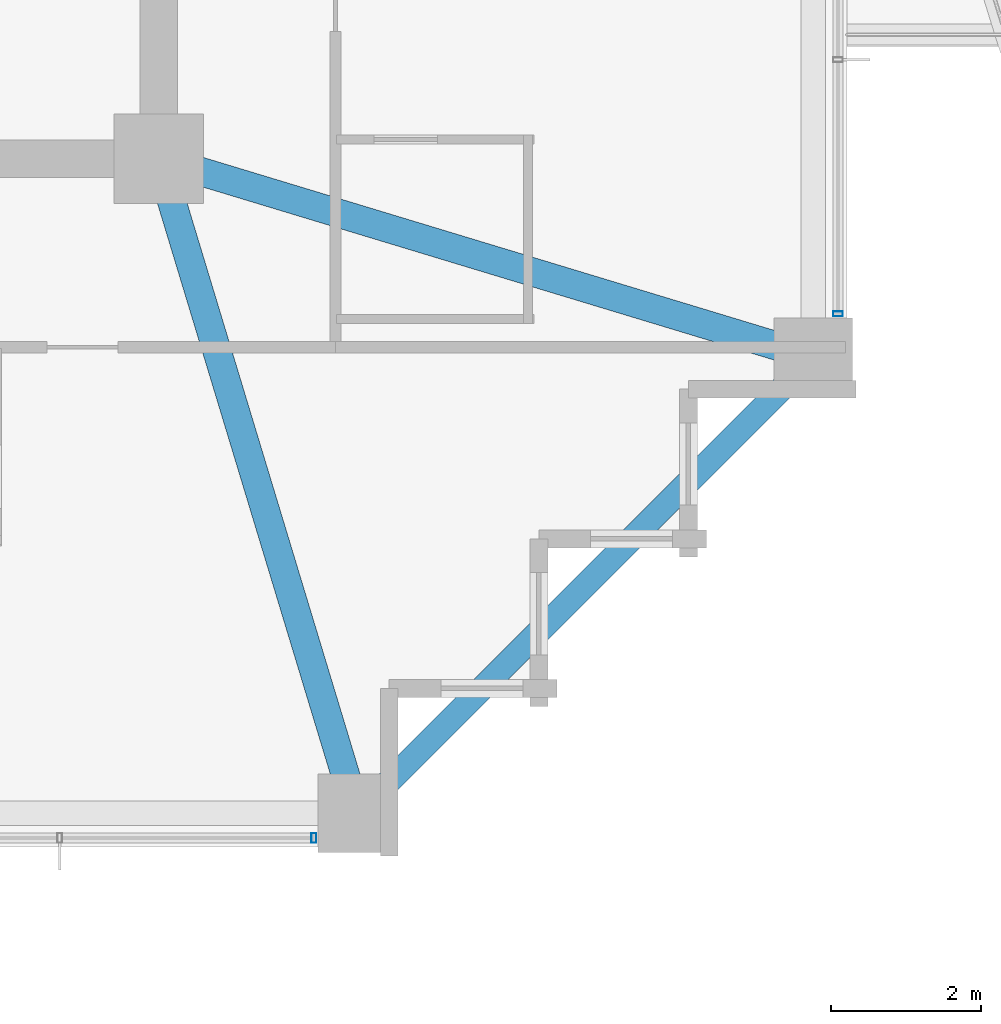
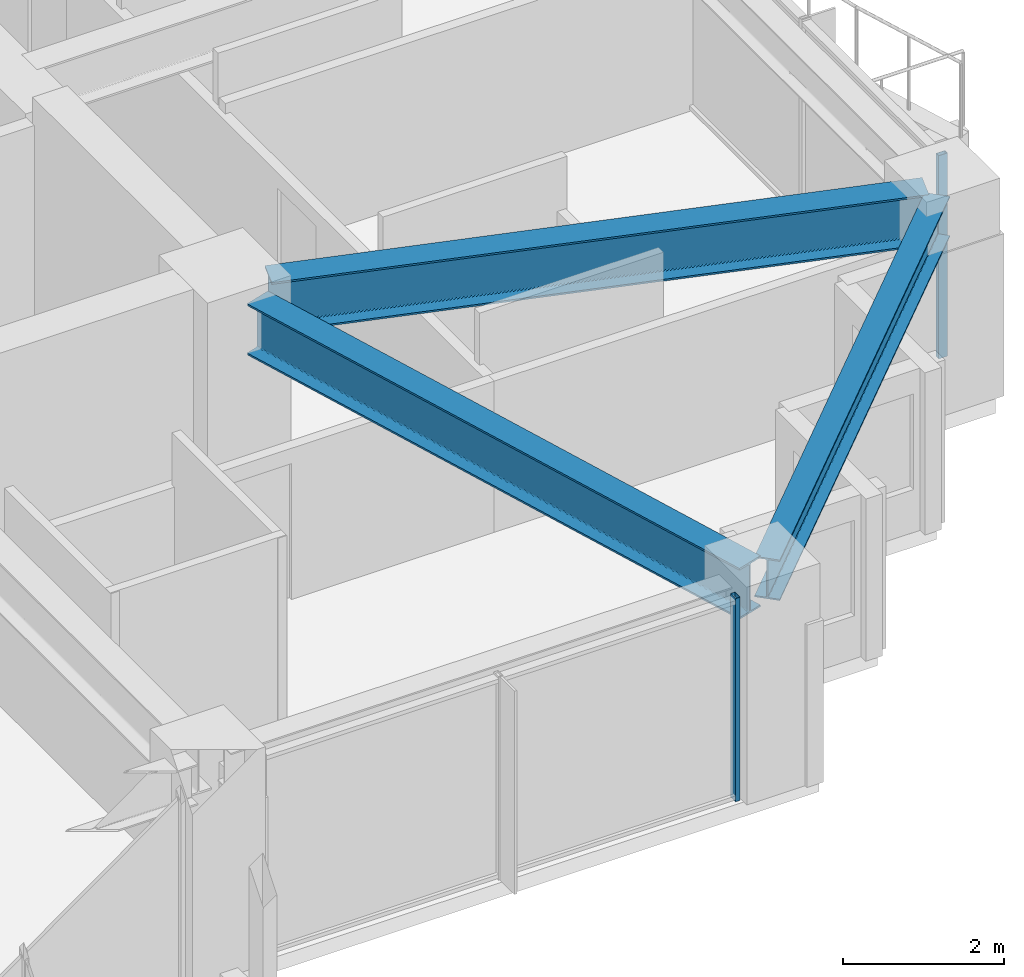
# One storey, part 14 of 38: 3 beams, 2 members, 2 elements without a shape of their own.
"""IFC4 building model written with IfcOpenShell, lengths in metres."""

from ifc_helpers import new_model, si_unit, direction, frame, origin, origin_2d, place, context, subcontext, project, spatial, hollow_rectangle, i_section, extrude, material, material_profile, profile_set, type_object, element, aggregate, save


model = new_model("IFC4")

# Units and contexts
model_context = context("Model", 3, precision=1e-05, world=origin(), true_north=direction((0.0, 1.0)))
body_context = subcontext(model_context, "Body", "Model", "MODEL_VIEW")
ifc_project = project(units=[si_unit("LENGTHUNIT", "METRE"), si_unit("AREAUNIT", "SQUARE_METRE"), si_unit("VOLUMEUNIT", "CUBIC_METRE"), si_unit("PLANEANGLEUNIT", "RADIAN"), si_unit("MASSUNIT", "GRAM", prefix="KILO")], contexts=[model_context])

# Site, building, storey
site_placement = place(None, origin())
site = spatial("IfcSite", under=ifc_project, at=site_placement, CompositionType="ELEMENT")
building_placement = place(site_placement, origin())
building = spatial("IfcBuilding", under=site, at=building_placement, Name="Kolvaren Belvedere", CompositionType="ELEMENT")
storey_placement = place(building_placement, frame((0.0, 0.0, 121.699951171875)))
storey = spatial("IfcBuildingStorey", under=building, at=storey_placement, Name="L35", CompositionType="ELEMENT", Elevation=121.699951171875)

# Beams
ifc_material_1 = material(Name="Structural steel ASTM A992 Grade 50", Category="steel")
ifc_material_profile_1 = material_profile(ifc_material_1, i_section(OverallWidth=0.381103515625, OverallDepth=0.77294921875, WebThickness=0.0166015625, FlangeThickness=0.027099609375, FilletRadius=0.02392578125, at=origin_2d()), Name="W30X173")
ifc_profile_set_1 = profile_set([ifc_material_profile_1], Name="Structural steel ASTM A992 Grade 50")
beam_type_1 = type_object("IfcBeamType", Name="BM-GIRD-W30X173", PredefinedType="BEAM", material=ifc_profile_set_1)
for number, where, z_axis, x_axis, name in (
    (1, (10.059326171875, -10.426513671875, 2.693603515625), (0.289858652454, -0.957069465398, 0.0), (0.957069465398, 0.289858652454, 0.0), "L35 Corner Core-to-Perimeter Girder CC2-S4"),
    (2, (10.426513671875, -10.059326171875, 2.693603515625), (0.957069465398, -0.289858652454, 0.0), (0.289858652454, 0.957069465398, 0.0), "L35 Corner Core-to-Perimeter Girder CC2-E1"),
):
    element("IfcBeam", number, at=place(storey_placement, frame(where, z_axis=z_axis, x_axis=x_axis)), inside=storey, type_object=beam_type_1, Name=name, PredefinedType="BEAM", context=body_context, shape_type="SweptSolid", body=[
        extrude(i_section(OverallWidth=0.381103515625, OverallDepth=0.77294921875, WebThickness=0.0166015625, FlangeThickness=0.027099609375, FilletRadius=0.02392578125, at=origin_2d()), origin(), (0.0, 0.0, 1.0), 8.38232421875),
    ])
ifc_material_2 = material(Name="Structural steel ASTM A992 Grade 50", Category="steel")
ifc_material_profile_2 = material_profile(ifc_material_2, i_section(OverallWidth=0.324951171875, OverallDepth=0.615966796875, WebThickness=0.013916015625, FlangeThickness=0.021484375, FilletRadius=0.02001953125, at=origin_2d()), Name="W24X117")
ifc_profile_set_2 = profile_set([ifc_material_profile_2], Name="Structural steel ASTM A992 Grade 50")
beam_type_2 = type_object("IfcBeamType", Name="BM-SPAN-W24X117", PredefinedType="SPANDREL", material=ifc_profile_set_2)
beam_placement = place(storey_placement, frame((12.717041015625, -18.48291015625, 2.77197265625), z_axis=(0.707106781187, 0.707106781187, 0.0), x_axis=(-0.707106781187, 0.707106781187, 0.0)))
element("IfcBeam", 3, at=beam_placement, inside=storey, type_object=beam_type_2, Name="L35 Perimeter Spandrel S4-E1", PredefinedType="SPANDREL", context=body_context, shape_type="SweptSolid", body=[
    extrude(i_section(OverallWidth=0.324951171875, OverallDepth=0.615966796875, WebThickness=0.013916015625, FlangeThickness=0.021484375, FilletRadius=0.02001953125, at=origin_2d()), origin(), (0.0, 0.0, 1.0), 8.154052734375),
])

# Curtain wall, member
ifc_material_3 = material(Name="Anodised pale-metal aluminium AA 6063-T6", Category="aluminium")
curtain_wall_type = type_object("IfcCurtainWallType", Name="CW-Z3-WAIST", PredefinedType="NOTDEFINED", material=ifc_material_3)
curtain_wall_1_placement = place(storey_placement, origin())
curtain_wall_1 = element("IfcCurtainWall", 4, at=curtain_wall_1_placement, inside=storey, type_object=curtain_wall_type, Name="L35 Unitised Curtain Wall FCW-L35-S1-B1", PredefinedType="NOTDEFINED")
ifc_material_4 = material(Name="Anodised pale-metal aluminium AA 6063-T6", Category="aluminium")
ifc_material_profile_3 = material_profile(ifc_material_4, hollow_rectangle(XDim=0.06494140625, YDim=0.1298828125, WallThickness=0.00390625, at=origin_2d()), Name="ALU-MUL-130X65")
ifc_profile_set_3 = profile_set([ifc_material_profile_3], Name="Anodised pale-metal aluminium AA 6063-T6")
member_type = type_object("IfcMemberType", Name="CW-MUL-130", PredefinedType="MULLION", material=ifc_profile_set_3)
member_1_placement = place(storey_placement, frame((11.972412109375, -18.97998046875, 0.0), z_axis=(0.0, 0.0, 1.0), x_axis=(1.0, 0.0, 0.0)))
member_1 = element("IfcMember", 5, at=member_1_placement, type_object=member_type, Name="FCW-L35-S1-B1 Unitised Mullion 1", PredefinedType="MULLION", context=body_context, shape_type="SweptSolid", body=[
    extrude(hollow_rectangle(XDim=0.06494140625, YDim=0.1298828125, WallThickness=0.00390625, at=origin_2d()), origin(), (0.0, 0.0, 1.0), 3.080078125),
])
aggregate(curtain_wall_1, [member_1])

curtain_wall_2_placement = place(storey_placement, origin())
curtain_wall_2 = element("IfcCurtainWall", 6, at=curtain_wall_2_placement, inside=storey, type_object=curtain_wall_type, Name="L35 Unitised Curtain Wall FCW-L35-E2-B2", PredefinedType="NOTDEFINED")
member_2_placement = place(storey_placement, frame((18.97998046875, -11.972412109375, 0.0), z_axis=(0.0, 0.0, 1.0), x_axis=(0.0, 1.0, 0.0)))
member_2 = element("IfcMember", 7, at=member_2_placement, type_object=member_type, Name="FCW-L35-E2-B2 Unitised Mullion 3", PredefinedType="MULLION", context=body_context, shape_type="SweptSolid", body=[
    extrude(hollow_rectangle(XDim=0.06494140625, YDim=0.1298828125, WallThickness=0.00390625, at=origin_2d()), origin(), (0.0, 0.0, 1.0), 3.080078125),
])
aggregate(curtain_wall_2, [member_2])

save(model, "model.ifc")
